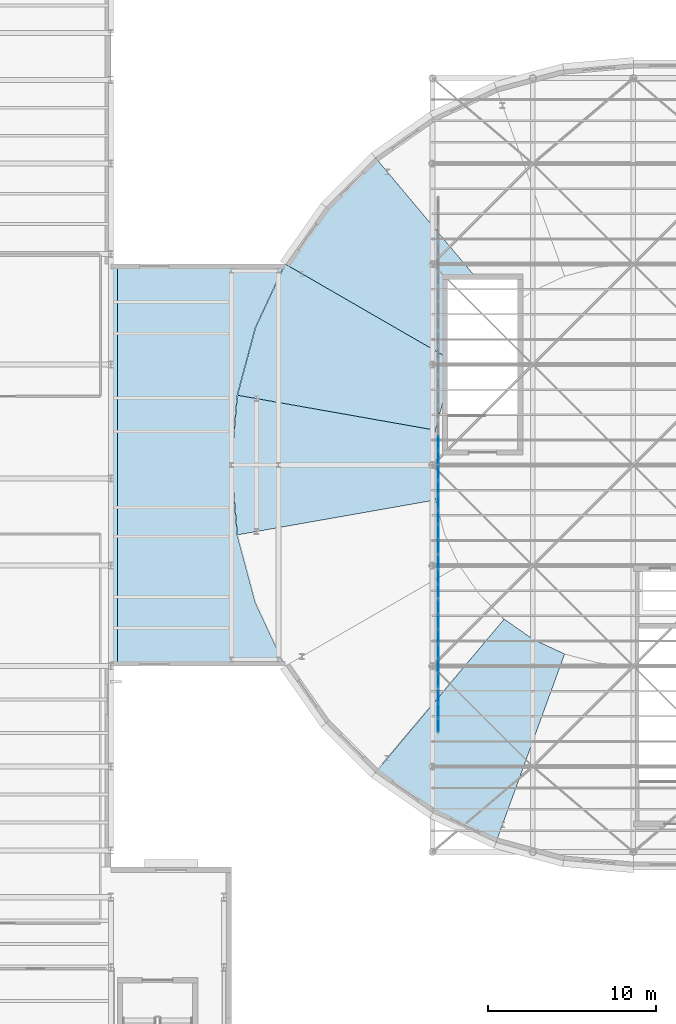
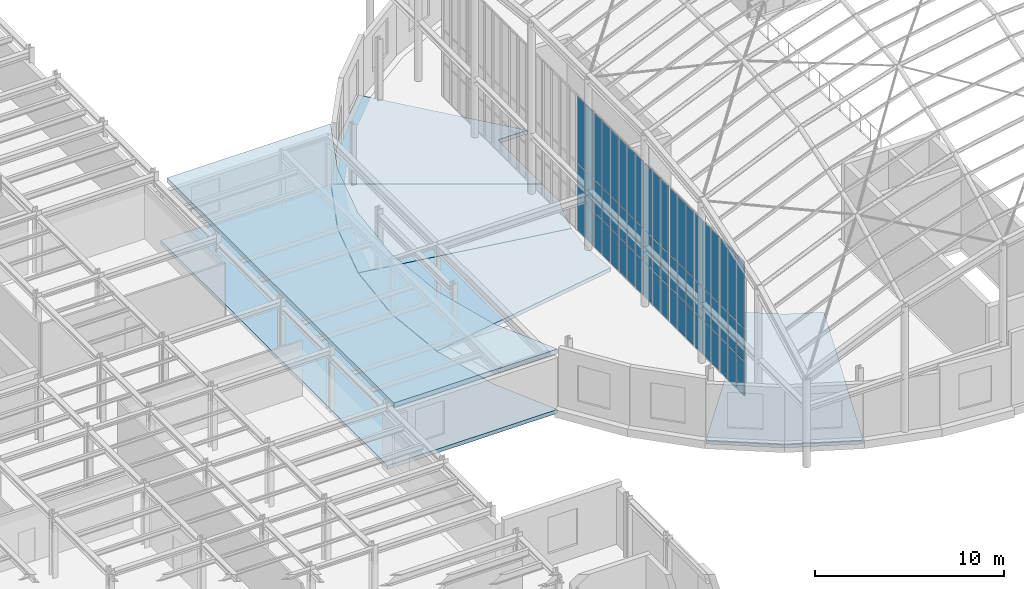
# One storey, part 52 of 75: 60 plates, 6 slabs, 7 elements without a shape of their own.
"""IFC4 building model written with IfcOpenShell, lengths in metres."""

from ifc_helpers import new_model, si_unit, direction, frame, origin, origin_2d, place, context, subcontext, project, spatial, polyline, rectangle, outline, extrude, material, layer, layer_set, type_object, element, aggregate, save


model = new_model("IFC4")

# Units and contexts
model_context = context("Model", 3, precision=1e-05, world=origin(), true_north=direction((0.0, 1.0)))
body_context = subcontext(model_context, "Body", "Model", "MODEL_VIEW")
ifc_project = project(units=[si_unit("LENGTHUNIT", "METRE"), si_unit("AREAUNIT", "SQUARE_METRE"), si_unit("VOLUMEUNIT", "CUBIC_METRE"), si_unit("PLANEANGLEUNIT", "RADIAN"), si_unit("MASSUNIT", "GRAM", prefix="KILO")], contexts=[model_context])

# Site, building, storey
site_placement = place(None, origin())
site = spatial("IfcSite", under=ifc_project, at=site_placement, CompositionType="ELEMENT")
building_placement = place(site_placement, origin())
building = spatial("IfcBuilding", under=site, at=building_placement, Name="Kolvaren Corner Interchange", CompositionType="ELEMENT")
storey_placement = place(building_placement, frame((0.0, 0.0, 10.5)))
storey = spatial("IfcBuildingStorey", under=building, at=storey_placement, Name="L03", CompositionType="ELEMENT", Elevation=10.5)

# Curtain wall, plates
ifc_material_1 = material(Name="Unitised Aluminium and Solar-Control Glass Curtain Wall", Category="aluminium")
curtain_wall_type = type_object("IfcCurtainWallType", Name="CW-V1-CLER", PredefinedType="NOTDEFINED", material=ifc_material_1)
curtain_wall_1_placement = place(storey_placement, origin())
curtain_wall_1 = element("IfcCurtainWall", 1, at=curtain_wall_1_placement, inside=storey, type_object=curtain_wall_type, Name="Gridshell West End Curtain Wall Bay 01", PredefinedType="NOTDEFINED")
ifc_material_2 = material(Name="Low-E Solar-Control Laminated Glass", Category="glass")
ifc_layer_1 = layer(ifc_material_2, 0.035888671875)
ifc_layer_set_1 = layer_set([ifc_layer_1], Name="Low-E Solar-Control Laminated Glass")
plate_type = type_object("IfcPlateType", Name="PLT-CW-GL32", PredefinedType="CURTAIN_PANEL", material=ifc_layer_set_1)
plate_1_placement = place(storey_placement, frame((48.35009765625, 32.4619140625, 0.06005859375), z_axis=(0.0, 0.0, 1.0), x_axis=(0.0, 1.0, 0.0)))
plate_1 = element("IfcPlate", 2, at=plate_1_placement, type_object=plate_type, Name="CW-082 panel 1.1", PredefinedType="CURTAIN_PANEL", context=body_context, shape_type="SweptSolid", body=[
    extrude(rectangle(XDim=0.783935546875, YDim=0.035888671875, at=origin_2d()), origin(), (0.0, 0.0, 1.0), 2.2099609375),
])
plate_2_placement = place(storey_placement, frame((48.35009765625, 32.4619140625, 2.330078125), z_axis=(0.0, 0.0, 1.0), x_axis=(0.0, 1.0, 0.0)))
plate_2 = element("IfcPlate", 3, at=plate_2_placement, type_object=plate_type, Name="CW-082 panel 1.2", PredefinedType="CURTAIN_PANEL", context=body_context, shape_type="SweptSolid", body=[
    extrude(rectangle(XDim=0.783935546875, YDim=0.035888671875, at=origin_2d()), origin(), (0.0, 0.0, 1.0), 2.0400390625),
])
plate_3_placement = place(storey_placement, frame((48.35009765625, 32.4619140625, 4.43017578125), z_axis=(0.0, 0.0, 1.0), x_axis=(0.0, 1.0, 0.0)))
plate_3 = element("IfcPlate", 4, at=plate_3_placement, type_object=plate_type, Name="CW-082 panel 1.3", PredefinedType="CURTAIN_PANEL", context=body_context, shape_type="SweptSolid", body=[
    extrude(rectangle(XDim=0.783935546875, YDim=0.035888671875, at=origin_2d()), origin(), (0.0, 0.0, 1.0), 4.281982421875),
])
plate_4_placement = place(storey_placement, frame((48.35009765625, 33.333251953125, 0.06005859375), z_axis=(0.0, 0.0, 1.0), x_axis=(0.0, 1.0, 0.0)))
plate_4 = element("IfcPlate", 5, at=plate_4_placement, type_object=plate_type, Name="CW-082 panel 2.1", PredefinedType="CURTAIN_PANEL", context=body_context, shape_type="SweptSolid", body=[
    extrude(rectangle(XDim=0.81884765625, YDim=0.035888671875, at=origin_2d()), origin(), (0.0, 0.0, 1.0), 2.2099609375),
])
plate_5_placement = place(storey_placement, frame((48.35009765625, 33.333251953125, 2.330078125), z_axis=(0.0, 0.0, 1.0), x_axis=(0.0, 1.0, 0.0)))
plate_5 = element("IfcPlate", 6, at=plate_5_placement, type_object=plate_type, Name="CW-082 panel 2.2", PredefinedType="CURTAIN_PANEL", context=body_context, shape_type="SweptSolid", body=[
    extrude(rectangle(XDim=0.81884765625, YDim=0.035888671875, at=origin_2d()), origin(), (0.0, 0.0, 1.0), 2.0400390625),
])
plate_6_placement = place(storey_placement, frame((48.35009765625, 33.333251953125, 4.43017578125), z_axis=(0.0, 0.0, 1.0), x_axis=(0.0, 1.0, 0.0)))
plate_6 = element("IfcPlate", 7, at=plate_6_placement, type_object=plate_type, Name="CW-082 panel 2.3", PredefinedType="CURTAIN_PANEL", context=body_context, shape_type="SweptSolid", body=[
    extrude(rectangle(XDim=0.81884765625, YDim=0.035888671875, at=origin_2d()), origin(), (0.0, 0.0, 1.0), 4.281982421875),
])
plate_7_placement = place(storey_placement, frame((48.35009765625, 34.204833984375, 0.06005859375), z_axis=(0.0, 0.0, 1.0), x_axis=(0.0, 1.0, 0.0)))
plate_7 = element("IfcPlate", 8, at=plate_7_placement, type_object=plate_type, Name="CW-082 panel 3.1", PredefinedType="CURTAIN_PANEL", context=body_context, shape_type="SweptSolid", body=[
    extrude(rectangle(XDim=0.783935546875, YDim=0.035888671875, at=origin_2d()), origin(), (0.0, 0.0, 1.0), 2.2099609375),
])
plate_8_placement = place(storey_placement, frame((48.35009765625, 34.204833984375, 2.330078125), z_axis=(0.0, 0.0, 1.0), x_axis=(0.0, 1.0, 0.0)))
plate_8 = element("IfcPlate", 9, at=plate_8_placement, type_object=plate_type, Name="CW-082 panel 3.2", PredefinedType="CURTAIN_PANEL", context=body_context, shape_type="SweptSolid", body=[
    extrude(rectangle(XDim=0.783935546875, YDim=0.035888671875, at=origin_2d()), origin(), (0.0, 0.0, 1.0), 2.0400390625),
])
plate_9_placement = place(storey_placement, frame((48.35009765625, 34.204833984375, 4.43017578125), z_axis=(0.0, 0.0, 1.0), x_axis=(0.0, 1.0, 0.0)))
plate_9 = element("IfcPlate", 10, at=plate_9_placement, type_object=plate_type, Name="CW-082 panel 3.3", PredefinedType="CURTAIN_PANEL", context=body_context, shape_type="SweptSolid", body=[
    extrude(rectangle(XDim=0.783935546875, YDim=0.035888671875, at=origin_2d()), origin(), (0.0, 0.0, 1.0), 4.281982421875),
])
aggregate(curtain_wall_1, [plate_1, plate_2, plate_3, plate_4, plate_5, plate_6, plate_7, plate_8, plate_9])

curtain_wall_2_placement = place(storey_placement, origin())
curtain_wall_2 = element("IfcCurtainWall", 11, at=curtain_wall_2_placement, inside=storey, type_object=curtain_wall_type, Name="Gridshell West End Curtain Wall Bay 02", PredefinedType="NOTDEFINED")
plate_10_placement = place(storey_placement, frame((48.35009765625, 35.128662109375, 0.06005859375), z_axis=(0.0, 0.0, 1.0), x_axis=(0.0, 1.0, 0.0)))
plate_10 = element("IfcPlate", 12, at=plate_10_placement, type_object=plate_type, Name="CW-083 panel 1.1", PredefinedType="CURTAIN_PANEL", context=body_context, shape_type="SweptSolid", body=[
    extrude(rectangle(XDim=0.783935546875, YDim=0.035888671875, at=origin_2d()), origin(), (0.0, 0.0, 1.0), 2.2099609375),
])
plate_11_placement = place(storey_placement, frame((48.35009765625, 35.128662109375, 2.330078125), z_axis=(0.0, 0.0, 1.0), x_axis=(0.0, 1.0, 0.0)))
plate_11 = element("IfcPlate", 13, at=plate_11_placement, type_object=plate_type, Name="CW-083 panel 1.2", PredefinedType="CURTAIN_PANEL", context=body_context, shape_type="SweptSolid", body=[
    extrude(rectangle(XDim=0.783935546875, YDim=0.035888671875, at=origin_2d()), origin(), (0.0, 0.0, 1.0), 2.0400390625),
])
plate_12_placement = place(storey_placement, frame((48.35009765625, 35.128662109375, 4.43017578125), z_axis=(0.0, 0.0, 1.0), x_axis=(0.0, 1.0, 0.0)))
plate_12 = element("IfcPlate", 14, at=plate_12_placement, type_object=plate_type, Name="CW-083 panel 1.3", PredefinedType="CURTAIN_PANEL", context=body_context, shape_type="SweptSolid", body=[
    extrude(rectangle(XDim=0.783935546875, YDim=0.035888671875, at=origin_2d()), origin(), (0.0, 0.0, 1.0), 4.281982421875),
])
plate_13_placement = place(storey_placement, frame((48.35009765625, 36.0, 0.06005859375), z_axis=(0.0, 0.0, 1.0), x_axis=(0.0, 1.0, 0.0)))
plate_13 = element("IfcPlate", 15, at=plate_13_placement, type_object=plate_type, Name="CW-083 panel 2.1", PredefinedType="CURTAIN_PANEL", context=body_context, shape_type="SweptSolid", body=[
    extrude(rectangle(XDim=0.81884765625, YDim=0.035888671875, at=origin_2d()), origin(), (0.0, 0.0, 1.0), 2.2099609375),
])
plate_14_placement = place(storey_placement, frame((48.35009765625, 36.0, 2.330078125), z_axis=(0.0, 0.0, 1.0), x_axis=(0.0, 1.0, 0.0)))
plate_14 = element("IfcPlate", 16, at=plate_14_placement, type_object=plate_type, Name="CW-083 panel 2.2", PredefinedType="CURTAIN_PANEL", context=body_context, shape_type="SweptSolid", body=[
    extrude(rectangle(XDim=0.81884765625, YDim=0.035888671875, at=origin_2d()), origin(), (0.0, 0.0, 1.0), 2.0400390625),
])
plate_15_placement = place(storey_placement, frame((48.35009765625, 36.0, 4.43017578125), z_axis=(0.0, 0.0, 1.0), x_axis=(0.0, 1.0, 0.0)))
plate_15 = element("IfcPlate", 17, at=plate_15_placement, type_object=plate_type, Name="CW-083 panel 2.3", PredefinedType="CURTAIN_PANEL", context=body_context, shape_type="SweptSolid", body=[
    extrude(rectangle(XDim=0.81884765625, YDim=0.035888671875, at=origin_2d()), origin(), (0.0, 0.0, 1.0), 4.281982421875),
])
plate_16_placement = place(storey_placement, frame((48.35009765625, 36.871337890625, 0.06005859375), z_axis=(0.0, 0.0, 1.0), x_axis=(0.0, 1.0, 0.0)))
plate_16 = element("IfcPlate", 18, at=plate_16_placement, type_object=plate_type, Name="CW-083 panel 3.1", PredefinedType="CURTAIN_PANEL", context=body_context, shape_type="SweptSolid", body=[
    extrude(rectangle(XDim=0.783935546875, YDim=0.035888671875, at=origin_2d()), origin(), (0.0, 0.0, 1.0), 2.2099609375),
])
plate_17_placement = place(storey_placement, frame((48.35009765625, 36.871337890625, 2.330078125), z_axis=(0.0, 0.0, 1.0), x_axis=(0.0, 1.0, 0.0)))
plate_17 = element("IfcPlate", 19, at=plate_17_placement, type_object=plate_type, Name="CW-083 panel 3.2", PredefinedType="CURTAIN_PANEL", context=body_context, shape_type="SweptSolid", body=[
    extrude(rectangle(XDim=0.783935546875, YDim=0.035888671875, at=origin_2d()), origin(), (0.0, 0.0, 1.0), 2.0400390625),
])
plate_18_placement = place(storey_placement, frame((48.35009765625, 36.871337890625, 4.43017578125), z_axis=(0.0, 0.0, 1.0), x_axis=(0.0, 1.0, 0.0)))
plate_18 = element("IfcPlate", 20, at=plate_18_placement, type_object=plate_type, Name="CW-083 panel 3.3", PredefinedType="CURTAIN_PANEL", context=body_context, shape_type="SweptSolid", body=[
    extrude(rectangle(XDim=0.783935546875, YDim=0.035888671875, at=origin_2d()), origin(), (0.0, 0.0, 1.0), 4.281982421875),
])
aggregate(curtain_wall_2, [plate_10, plate_11, plate_12, plate_13, plate_14, plate_15, plate_16, plate_17, plate_18])

curtain_wall_3_placement = place(storey_placement, origin())
curtain_wall_3 = element("IfcCurtainWall", 21, at=curtain_wall_3_placement, inside=storey, type_object=curtain_wall_type, Name="Gridshell West End Curtain Wall Bay 03", PredefinedType="NOTDEFINED")
plate_19_placement = place(storey_placement, frame((48.35009765625, 37.795166015625, 0.06005859375), z_axis=(0.0, 0.0, 1.0), x_axis=(0.0, 1.0, 0.0)))
plate_19 = element("IfcPlate", 22, at=plate_19_placement, type_object=plate_type, Name="CW-084 panel 1.1", PredefinedType="CURTAIN_PANEL", context=body_context, shape_type="SweptSolid", body=[
    extrude(rectangle(XDim=0.783935546875, YDim=0.035888671875, at=origin_2d()), origin(), (0.0, 0.0, 1.0), 2.2099609375),
])
plate_20_placement = place(storey_placement, frame((48.35009765625, 37.795166015625, 2.330078125), z_axis=(0.0, 0.0, 1.0), x_axis=(0.0, 1.0, 0.0)))
plate_20 = element("IfcPlate", 23, at=plate_20_placement, type_object=plate_type, Name="CW-084 panel 1.2", PredefinedType="CURTAIN_PANEL", context=body_context, shape_type="SweptSolid", body=[
    extrude(rectangle(XDim=0.783935546875, YDim=0.035888671875, at=origin_2d()), origin(), (0.0, 0.0, 1.0), 2.0400390625),
])
plate_21_placement = place(storey_placement, frame((48.35009765625, 37.795166015625, 4.43017578125), z_axis=(0.0, 0.0, 1.0), x_axis=(0.0, 1.0, 0.0)))
plate_21 = element("IfcPlate", 24, at=plate_21_placement, type_object=plate_type, Name="CW-084 panel 1.3", PredefinedType="CURTAIN_PANEL", context=body_context, shape_type="SweptSolid", body=[
    extrude(rectangle(XDim=0.783935546875, YDim=0.035888671875, at=origin_2d()), origin(), (0.0, 0.0, 1.0), 4.281982421875),
])
plate_22_placement = place(storey_placement, frame((48.35009765625, 38.666748046875, 0.06005859375), z_axis=(0.0, 0.0, 1.0), x_axis=(0.0, 1.0, 0.0)))
plate_22 = element("IfcPlate", 25, at=plate_22_placement, type_object=plate_type, Name="CW-084 panel 2.1", PredefinedType="CURTAIN_PANEL", context=body_context, shape_type="SweptSolid", body=[
    extrude(rectangle(XDim=0.81884765625, YDim=0.035888671875, at=origin_2d()), origin(), (0.0, 0.0, 1.0), 2.2099609375),
])
plate_23_placement = place(storey_placement, frame((48.35009765625, 38.666748046875, 2.330078125), z_axis=(0.0, 0.0, 1.0), x_axis=(0.0, 1.0, 0.0)))
plate_23 = element("IfcPlate", 26, at=plate_23_placement, type_object=plate_type, Name="CW-084 panel 2.2", PredefinedType="CURTAIN_PANEL", context=body_context, shape_type="SweptSolid", body=[
    extrude(rectangle(XDim=0.81884765625, YDim=0.035888671875, at=origin_2d()), origin(), (0.0, 0.0, 1.0), 2.0400390625),
])
plate_24_placement = place(storey_placement, frame((48.35009765625, 38.666748046875, 4.43017578125), z_axis=(0.0, 0.0, 1.0), x_axis=(0.0, 1.0, 0.0)))
plate_24 = element("IfcPlate", 27, at=plate_24_placement, type_object=plate_type, Name="CW-084 panel 2.3", PredefinedType="CURTAIN_PANEL", context=body_context, shape_type="SweptSolid", body=[
    extrude(rectangle(XDim=0.81884765625, YDim=0.035888671875, at=origin_2d()), origin(), (0.0, 0.0, 1.0), 4.281982421875),
])
plate_25_placement = place(storey_placement, frame((48.35009765625, 39.5380859375, 0.06005859375), z_axis=(0.0, 0.0, 1.0), x_axis=(0.0, 1.0, 0.0)))
plate_25 = element("IfcPlate", 28, at=plate_25_placement, type_object=plate_type, Name="CW-084 panel 3.1", PredefinedType="CURTAIN_PANEL", context=body_context, shape_type="SweptSolid", body=[
    extrude(rectangle(XDim=0.783935546875, YDim=0.035888671875, at=origin_2d()), origin(), (0.0, 0.0, 1.0), 2.2099609375),
])
plate_26_placement = place(storey_placement, frame((48.35009765625, 39.5380859375, 2.330078125), z_axis=(0.0, 0.0, 1.0), x_axis=(0.0, 1.0, 0.0)))
plate_26 = element("IfcPlate", 29, at=plate_26_placement, type_object=plate_type, Name="CW-084 panel 3.2", PredefinedType="CURTAIN_PANEL", context=body_context, shape_type="SweptSolid", body=[
    extrude(rectangle(XDim=0.783935546875, YDim=0.035888671875, at=origin_2d()), origin(), (0.0, 0.0, 1.0), 2.0400390625),
])
plate_27_placement = place(storey_placement, frame((48.35009765625, 39.5380859375, 4.43017578125), z_axis=(0.0, 0.0, 1.0), x_axis=(0.0, 1.0, 0.0)))
plate_27 = element("IfcPlate", 30, at=plate_27_placement, type_object=plate_type, Name="CW-084 panel 3.3", PredefinedType="CURTAIN_PANEL", context=body_context, shape_type="SweptSolid", body=[
    extrude(rectangle(XDim=0.783935546875, YDim=0.035888671875, at=origin_2d()), origin(), (0.0, 0.0, 1.0), 4.281982421875),
])
aggregate(curtain_wall_3, [plate_19, plate_20, plate_21, plate_22, plate_23, plate_24, plate_25, plate_26, plate_27])

curtain_wall_4_placement = place(storey_placement, origin())
curtain_wall_4 = element("IfcCurtainWall", 31, at=curtain_wall_4_placement, inside=storey, type_object=curtain_wall_type, Name="Gridshell West End Curtain Wall Bay 04", PredefinedType="NOTDEFINED")
plate_28_placement = place(storey_placement, frame((48.35009765625, 40.4619140625, 0.06005859375), z_axis=(0.0, 0.0, 1.0), x_axis=(0.0, 1.0, 0.0)))
plate_28 = element("IfcPlate", 32, at=plate_28_placement, type_object=plate_type, Name="CW-085 panel 1.1", PredefinedType="CURTAIN_PANEL", context=body_context, shape_type="SweptSolid", body=[
    extrude(rectangle(XDim=0.783935546875, YDim=0.035888671875, at=origin_2d()), origin(), (0.0, 0.0, 1.0), 2.2099609375),
])
plate_29_placement = place(storey_placement, frame((48.35009765625, 40.4619140625, 2.330078125), z_axis=(0.0, 0.0, 1.0), x_axis=(0.0, 1.0, 0.0)))
plate_29 = element("IfcPlate", 33, at=plate_29_placement, type_object=plate_type, Name="CW-085 panel 1.2", PredefinedType="CURTAIN_PANEL", context=body_context, shape_type="SweptSolid", body=[
    extrude(rectangle(XDim=0.783935546875, YDim=0.035888671875, at=origin_2d()), origin(), (0.0, 0.0, 1.0), 2.0400390625),
])
plate_30_placement = place(storey_placement, frame((48.35009765625, 40.4619140625, 4.43017578125), z_axis=(0.0, 0.0, 1.0), x_axis=(0.0, 1.0, 0.0)))
plate_30 = element("IfcPlate", 34, at=plate_30_placement, type_object=plate_type, Name="CW-085 panel 1.3", PredefinedType="CURTAIN_PANEL", context=body_context, shape_type="SweptSolid", body=[
    extrude(rectangle(XDim=0.783935546875, YDim=0.035888671875, at=origin_2d()), origin(), (0.0, 0.0, 1.0), 4.281982421875),
])
plate_31_placement = place(storey_placement, frame((48.35009765625, 41.333251953125, 0.06005859375), z_axis=(0.0, 0.0, 1.0), x_axis=(0.0, 1.0, 0.0)))
plate_31 = element("IfcPlate", 35, at=plate_31_placement, type_object=plate_type, Name="CW-085 panel 2.1", PredefinedType="CURTAIN_PANEL", context=body_context, shape_type="SweptSolid", body=[
    extrude(rectangle(XDim=0.81884765625, YDim=0.035888671875, at=origin_2d()), origin(), (0.0, 0.0, 1.0), 2.2099609375),
])
plate_32_placement = place(storey_placement, frame((48.35009765625, 41.333251953125, 2.330078125), z_axis=(0.0, 0.0, 1.0), x_axis=(0.0, 1.0, 0.0)))
plate_32 = element("IfcPlate", 36, at=plate_32_placement, type_object=plate_type, Name="CW-085 panel 2.2", PredefinedType="CURTAIN_PANEL", context=body_context, shape_type="SweptSolid", body=[
    extrude(rectangle(XDim=0.81884765625, YDim=0.035888671875, at=origin_2d()), origin(), (0.0, 0.0, 1.0), 2.0400390625),
])
plate_33_placement = place(storey_placement, frame((48.35009765625, 41.333251953125, 4.43017578125), z_axis=(0.0, 0.0, 1.0), x_axis=(0.0, 1.0, 0.0)))
plate_33 = element("IfcPlate", 37, at=plate_33_placement, type_object=plate_type, Name="CW-085 panel 2.3", PredefinedType="CURTAIN_PANEL", context=body_context, shape_type="SweptSolid", body=[
    extrude(rectangle(XDim=0.81884765625, YDim=0.035888671875, at=origin_2d()), origin(), (0.0, 0.0, 1.0), 4.281982421875),
])
plate_34_placement = place(storey_placement, frame((48.35009765625, 42.204833984375, 0.06005859375), z_axis=(0.0, 0.0, 1.0), x_axis=(0.0, 1.0, 0.0)))
plate_34 = element("IfcPlate", 38, at=plate_34_placement, type_object=plate_type, Name="CW-085 panel 3.1", PredefinedType="CURTAIN_PANEL", context=body_context, shape_type="SweptSolid", body=[
    extrude(rectangle(XDim=0.783935546875, YDim=0.035888671875, at=origin_2d()), origin(), (0.0, 0.0, 1.0), 2.2099609375),
])
plate_35_placement = place(storey_placement, frame((48.35009765625, 42.204833984375, 2.330078125), z_axis=(0.0, 0.0, 1.0), x_axis=(0.0, 1.0, 0.0)))
plate_35 = element("IfcPlate", 39, at=plate_35_placement, type_object=plate_type, Name="CW-085 panel 3.2", PredefinedType="CURTAIN_PANEL", context=body_context, shape_type="SweptSolid", body=[
    extrude(rectangle(XDim=0.783935546875, YDim=0.035888671875, at=origin_2d()), origin(), (0.0, 0.0, 1.0), 2.0400390625),
])
plate_36_placement = place(storey_placement, frame((48.35009765625, 42.204833984375, 4.43017578125), z_axis=(0.0, 0.0, 1.0), x_axis=(0.0, 1.0, 0.0)))
plate_36 = element("IfcPlate", 40, at=plate_36_placement, type_object=plate_type, Name="CW-085 panel 3.3", PredefinedType="CURTAIN_PANEL", context=body_context, shape_type="SweptSolid", body=[
    extrude(rectangle(XDim=0.783935546875, YDim=0.035888671875, at=origin_2d()), origin(), (0.0, 0.0, 1.0), 4.281982421875),
])
aggregate(curtain_wall_4, [plate_28, plate_29, plate_30, plate_31, plate_32, plate_33, plate_34, plate_35, plate_36])

curtain_wall_5_placement = place(storey_placement, origin())
curtain_wall_5 = element("IfcCurtainWall", 41, at=curtain_wall_5_placement, inside=storey, type_object=curtain_wall_type, Name="Gridshell West End Curtain Wall Bay 05", PredefinedType="NOTDEFINED")
plate_37_placement = place(storey_placement, frame((48.35009765625, 43.128662109375, 0.06005859375), z_axis=(0.0, 0.0, 1.0), x_axis=(0.0, 1.0, 0.0)))
plate_37 = element("IfcPlate", 42, at=plate_37_placement, type_object=plate_type, Name="CW-086 panel 1.1", PredefinedType="CURTAIN_PANEL", context=body_context, shape_type="SweptSolid", body=[
    extrude(rectangle(XDim=0.783935546875, YDim=0.035888671875, at=origin_2d()), origin(), (0.0, 0.0, 1.0), 2.2099609375),
])
plate_38_placement = place(storey_placement, frame((48.35009765625, 43.128662109375, 2.330078125), z_axis=(0.0, 0.0, 1.0), x_axis=(0.0, 1.0, 0.0)))
plate_38 = element("IfcPlate", 43, at=plate_38_placement, type_object=plate_type, Name="CW-086 panel 1.2", PredefinedType="CURTAIN_PANEL", context=body_context, shape_type="SweptSolid", body=[
    extrude(rectangle(XDim=0.783935546875, YDim=0.035888671875, at=origin_2d()), origin(), (0.0, 0.0, 1.0), 2.0400390625),
])
plate_39_placement = place(storey_placement, frame((48.35009765625, 43.128662109375, 4.43017578125), z_axis=(0.0, 0.0, 1.0), x_axis=(0.0, 1.0, 0.0)))
plate_39 = element("IfcPlate", 44, at=plate_39_placement, type_object=plate_type, Name="CW-086 panel 1.3", PredefinedType="CURTAIN_PANEL", context=body_context, shape_type="SweptSolid", body=[
    extrude(rectangle(XDim=0.783935546875, YDim=0.035888671875, at=origin_2d()), origin(), (0.0, 0.0, 1.0), 4.281982421875),
])
plate_40_placement = place(storey_placement, frame((48.35009765625, 44.0, 0.06005859375), z_axis=(0.0, 0.0, 1.0), x_axis=(0.0, 1.0, 0.0)))
plate_40 = element("IfcPlate", 45, at=plate_40_placement, type_object=plate_type, Name="CW-086 panel 2.1", PredefinedType="CURTAIN_PANEL", context=body_context, shape_type="SweptSolid", body=[
    extrude(rectangle(XDim=0.81884765625, YDim=0.035888671875, at=origin_2d()), origin(), (0.0, 0.0, 1.0), 2.2099609375),
])
plate_41_placement = place(storey_placement, frame((48.35009765625, 44.0, 2.330078125), z_axis=(0.0, 0.0, 1.0), x_axis=(0.0, 1.0, 0.0)))
plate_41 = element("IfcPlate", 46, at=plate_41_placement, type_object=plate_type, Name="CW-086 panel 2.2", PredefinedType="CURTAIN_PANEL", context=body_context, shape_type="SweptSolid", body=[
    extrude(rectangle(XDim=0.81884765625, YDim=0.035888671875, at=origin_2d()), origin(), (0.0, 0.0, 1.0), 2.0400390625),
])
plate_42_placement = place(storey_placement, frame((48.35009765625, 44.0, 4.43017578125), z_axis=(0.0, 0.0, 1.0), x_axis=(0.0, 1.0, 0.0)))
plate_42 = element("IfcPlate", 47, at=plate_42_placement, type_object=plate_type, Name="CW-086 panel 2.3", PredefinedType="CURTAIN_PANEL", context=body_context, shape_type="SweptSolid", body=[
    extrude(rectangle(XDim=0.81884765625, YDim=0.035888671875, at=origin_2d()), origin(), (0.0, 0.0, 1.0), 4.281982421875),
])
plate_43_placement = place(storey_placement, frame((48.35009765625, 44.871337890625, 0.06005859375), z_axis=(0.0, 0.0, 1.0), x_axis=(0.0, 1.0, 0.0)))
plate_43 = element("IfcPlate", 48, at=plate_43_placement, type_object=plate_type, Name="CW-086 panel 3.1", PredefinedType="CURTAIN_PANEL", context=body_context, shape_type="SweptSolid", body=[
    extrude(rectangle(XDim=0.783935546875, YDim=0.035888671875, at=origin_2d()), origin(), (0.0, 0.0, 1.0), 2.2099609375),
])
plate_44_placement = place(storey_placement, frame((48.35009765625, 44.871337890625, 2.330078125), z_axis=(0.0, 0.0, 1.0), x_axis=(0.0, 1.0, 0.0)))
plate_44 = element("IfcPlate", 49, at=plate_44_placement, type_object=plate_type, Name="CW-086 panel 3.2", PredefinedType="CURTAIN_PANEL", context=body_context, shape_type="SweptSolid", body=[
    extrude(rectangle(XDim=0.783935546875, YDim=0.035888671875, at=origin_2d()), origin(), (0.0, 0.0, 1.0), 2.0400390625),
])
plate_45_placement = place(storey_placement, frame((48.35009765625, 44.871337890625, 4.43017578125), z_axis=(0.0, 0.0, 1.0), x_axis=(0.0, 1.0, 0.0)))
plate_45 = element("IfcPlate", 50, at=plate_45_placement, type_object=plate_type, Name="CW-086 panel 3.3", PredefinedType="CURTAIN_PANEL", context=body_context, shape_type="SweptSolid", body=[
    extrude(rectangle(XDim=0.783935546875, YDim=0.035888671875, at=origin_2d()), origin(), (0.0, 0.0, 1.0), 4.281982421875),
])
aggregate(curtain_wall_5, [plate_37, plate_38, plate_39, plate_40, plate_41, plate_42, plate_43, plate_44, plate_45])

curtain_wall_6_placement = place(storey_placement, origin())
curtain_wall_6 = element("IfcCurtainWall", 51, at=curtain_wall_6_placement, inside=storey, type_object=curtain_wall_type, Name="Gridshell West End Curtain Wall Bay 06", PredefinedType="NOTDEFINED")
plate_46_placement = place(storey_placement, frame((48.35009765625, 45.795166015625, 0.06005859375), z_axis=(0.0, 0.0, 1.0), x_axis=(0.0, 1.0, 0.0)))
plate_46 = element("IfcPlate", 52, at=plate_46_placement, type_object=plate_type, Name="CW-087 panel 1.1", PredefinedType="CURTAIN_PANEL", context=body_context, shape_type="SweptSolid", body=[
    extrude(rectangle(XDim=0.783935546875, YDim=0.035888671875, at=origin_2d()), origin(), (0.0, 0.0, 1.0), 2.2099609375),
])
plate_47_placement = place(storey_placement, frame((48.35009765625, 45.795166015625, 2.330078125), z_axis=(0.0, 0.0, 1.0), x_axis=(0.0, 1.0, 0.0)))
plate_47 = element("IfcPlate", 53, at=plate_47_placement, type_object=plate_type, Name="CW-087 panel 1.2", PredefinedType="CURTAIN_PANEL", context=body_context, shape_type="SweptSolid", body=[
    extrude(rectangle(XDim=0.783935546875, YDim=0.035888671875, at=origin_2d()), origin(), (0.0, 0.0, 1.0), 2.0400390625),
])
plate_48_placement = place(storey_placement, frame((48.35009765625, 45.795166015625, 4.43017578125), z_axis=(0.0, 0.0, 1.0), x_axis=(0.0, 1.0, 0.0)))
plate_48 = element("IfcPlate", 54, at=plate_48_placement, type_object=plate_type, Name="CW-087 panel 1.3", PredefinedType="CURTAIN_PANEL", context=body_context, shape_type="SweptSolid", body=[
    extrude(rectangle(XDim=0.783935546875, YDim=0.035888671875, at=origin_2d()), origin(), (0.0, 0.0, 1.0), 4.281982421875),
])
plate_49_placement = place(storey_placement, frame((48.35009765625, 46.666748046875, 0.06005859375), z_axis=(0.0, 0.0, 1.0), x_axis=(0.0, 1.0, 0.0)))
plate_49 = element("IfcPlate", 55, at=plate_49_placement, type_object=plate_type, Name="CW-087 panel 2.1", PredefinedType="CURTAIN_PANEL", context=body_context, shape_type="SweptSolid", body=[
    extrude(rectangle(XDim=0.81884765625, YDim=0.035888671875, at=origin_2d()), origin(), (0.0, 0.0, 1.0), 2.2099609375),
])
plate_50_placement = place(storey_placement, frame((48.35009765625, 46.666748046875, 2.330078125), z_axis=(0.0, 0.0, 1.0), x_axis=(0.0, 1.0, 0.0)))
plate_50 = element("IfcPlate", 56, at=plate_50_placement, type_object=plate_type, Name="CW-087 panel 2.2", PredefinedType="CURTAIN_PANEL", context=body_context, shape_type="SweptSolid", body=[
    extrude(rectangle(XDim=0.81884765625, YDim=0.035888671875, at=origin_2d()), origin(), (0.0, 0.0, 1.0), 2.0400390625),
])
plate_51_placement = place(storey_placement, frame((48.35009765625, 46.666748046875, 4.43017578125), z_axis=(0.0, 0.0, 1.0), x_axis=(0.0, 1.0, 0.0)))
plate_51 = element("IfcPlate", 57, at=plate_51_placement, type_object=plate_type, Name="CW-087 panel 2.3", PredefinedType="CURTAIN_PANEL", context=body_context, shape_type="SweptSolid", body=[
    extrude(rectangle(XDim=0.81884765625, YDim=0.035888671875, at=origin_2d()), origin(), (0.0, 0.0, 1.0), 4.281982421875),
])
plate_52_placement = place(storey_placement, frame((48.35009765625, 47.5380859375, 0.06005859375), z_axis=(0.0, 0.0, 1.0), x_axis=(0.0, 1.0, 0.0)))
plate_52 = element("IfcPlate", 58, at=plate_52_placement, type_object=plate_type, Name="CW-087 panel 3.1", PredefinedType="CURTAIN_PANEL", context=body_context, shape_type="SweptSolid", body=[
    extrude(rectangle(XDim=0.783935546875, YDim=0.035888671875, at=origin_2d()), origin(), (0.0, 0.0, 1.0), 2.2099609375),
])
plate_53_placement = place(storey_placement, frame((48.35009765625, 47.5380859375, 2.330078125), z_axis=(0.0, 0.0, 1.0), x_axis=(0.0, 1.0, 0.0)))
plate_53 = element("IfcPlate", 59, at=plate_53_placement, type_object=plate_type, Name="CW-087 panel 3.2", PredefinedType="CURTAIN_PANEL", context=body_context, shape_type="SweptSolid", body=[
    extrude(rectangle(XDim=0.783935546875, YDim=0.035888671875, at=origin_2d()), origin(), (0.0, 0.0, 1.0), 2.0400390625),
])
plate_54_placement = place(storey_placement, frame((48.35009765625, 47.5380859375, 4.43017578125), z_axis=(0.0, 0.0, 1.0), x_axis=(0.0, 1.0, 0.0)))
plate_54 = element("IfcPlate", 60, at=plate_54_placement, type_object=plate_type, Name="CW-087 panel 3.3", PredefinedType="CURTAIN_PANEL", context=body_context, shape_type="SweptSolid", body=[
    extrude(rectangle(XDim=0.783935546875, YDim=0.035888671875, at=origin_2d()), origin(), (0.0, 0.0, 1.0), 4.281982421875),
])
aggregate(curtain_wall_6, [plate_46, plate_47, plate_48, plate_49, plate_50, plate_51, plate_52, plate_53, plate_54])

curtain_wall_7_placement = place(storey_placement, origin())
curtain_wall_7 = element("IfcCurtainWall", 61, at=curtain_wall_7_placement, inside=storey, type_object=curtain_wall_type, Name="Gridshell West End Curtain Wall Bay 07", PredefinedType="NOTDEFINED")
plate_55_placement = place(storey_placement, frame((48.35009765625, 48.4619140625, 0.06005859375), z_axis=(0.0, 0.0, 1.0), x_axis=(0.0, 1.0, 0.0)))
plate_55 = element("IfcPlate", 62, at=plate_55_placement, type_object=plate_type, Name="CW-088 panel 1.1", PredefinedType="CURTAIN_PANEL", context=body_context, shape_type="SweptSolid", body=[
    extrude(rectangle(XDim=0.783935546875, YDim=0.035888671875, at=origin_2d()), origin(), (0.0, 0.0, 1.0), 2.2099609375),
])
plate_56_placement = place(storey_placement, frame((48.35009765625, 48.4619140625, 2.330078125), z_axis=(0.0, 0.0, 1.0), x_axis=(0.0, 1.0, 0.0)))
plate_56 = element("IfcPlate", 63, at=plate_56_placement, type_object=plate_type, Name="CW-088 panel 1.2", PredefinedType="CURTAIN_PANEL", context=body_context, shape_type="SweptSolid", body=[
    extrude(rectangle(XDim=0.783935546875, YDim=0.035888671875, at=origin_2d()), origin(), (0.0, 0.0, 1.0), 2.0400390625),
])
plate_57_placement = place(storey_placement, frame((48.35009765625, 48.4619140625, 4.43017578125), z_axis=(0.0, 0.0, 1.0), x_axis=(0.0, 1.0, 0.0)))
plate_57 = element("IfcPlate", 64, at=plate_57_placement, type_object=plate_type, Name="CW-088 panel 1.3", PredefinedType="CURTAIN_PANEL", context=body_context, shape_type="SweptSolid", body=[
    extrude(rectangle(XDim=0.783935546875, YDim=0.035888671875, at=origin_2d()), origin(), (0.0, 0.0, 1.0), 4.281982421875),
])
plate_58_placement = place(storey_placement, frame((48.35009765625, 49.333251953125, 0.06005859375), z_axis=(0.0, 0.0, 1.0), x_axis=(0.0, 1.0, 0.0)))
plate_58 = element("IfcPlate", 65, at=plate_58_placement, type_object=plate_type, Name="CW-088 panel 2.1", PredefinedType="CURTAIN_PANEL", context=body_context, shape_type="SweptSolid", body=[
    extrude(rectangle(XDim=0.81884765625, YDim=0.035888671875, at=origin_2d()), origin(), (0.0, 0.0, 1.0), 2.2099609375),
])
plate_59_placement = place(storey_placement, frame((48.35009765625, 49.333251953125, 2.330078125), z_axis=(0.0, 0.0, 1.0), x_axis=(0.0, 1.0, 0.0)))
plate_59 = element("IfcPlate", 66, at=plate_59_placement, type_object=plate_type, Name="CW-088 panel 2.2", PredefinedType="CURTAIN_PANEL", context=body_context, shape_type="SweptSolid", body=[
    extrude(rectangle(XDim=0.81884765625, YDim=0.035888671875, at=origin_2d()), origin(), (0.0, 0.0, 1.0), 2.0400390625),
])
plate_60_placement = place(storey_placement, frame((48.35009765625, 49.333251953125, 4.43017578125), z_axis=(0.0, 0.0, 1.0), x_axis=(0.0, 1.0, 0.0)))
plate_60 = element("IfcPlate", 67, at=plate_60_placement, type_object=plate_type, Name="CW-088 panel 2.3", PredefinedType="CURTAIN_PANEL", context=body_context, shape_type="SweptSolid", body=[
    extrude(rectangle(XDim=0.81884765625, YDim=0.035888671875, at=origin_2d()), origin(), (0.0, 0.0, 1.0), 4.281982421875),
])
aggregate(curtain_wall_7, [plate_55, plate_56, plate_57, plate_58, plate_59, plate_60])

# Slabs
ifc_material_3 = material(Name="Concrete C35/45", Category="concrete")
ifc_layer_2 = layer(ifc_material_3, 0.25)
ifc_layer_set_2 = layer_set([ifc_layer_2], Name="Concrete C35/45")
slab_type_1 = type_object("IfcSlabType", Name="SL-COMP-250", PredefinedType="FLOOR", material=ifc_layer_set_2)
slab_1_placement = place(storey_placement, frame((0.0, 0.0, -0.25)))
element("IfcSlab", 68, at=slab_1_placement, inside=storey, type_object=slab_type_1, Name="Level 03 Sky Gallery Transfer Bridge Slab", PredefinedType="FLOOR", context=body_context, shape_type="SweptSolid", body=[
    extrude(outline(polyline([(39.193359375, 36.0), (37.4287109375, 39.78466796875), (36.344970703125, 43.8291015625), (35.97998046875, 48.0), (36.344970703125, 52.1708984375), (37.4287109375, 56.21533203125), (39.193359375, 60.0), (28.800048828125, 60.0), (28.800048828125, 36.0), (39.193359375, 36.0)])), origin(), (0.0, 0.0, 1.0), 0.25),
])
slab_2_placement = place(storey_placement, frame((0.0, 0.0, -0.25)))
element("IfcSlab", 69, at=slab_2_placement, inside=storey, type_object=slab_type_1, Name="Level 03 Racetrack West Sky Gallery Radial Slab 03", PredefinedType="FLOOR", context=body_context, shape_type="SweptSolid", body=[
    extrude(outline(polyline([(41.614990234375, 63.427001953125), (39.21533203125, 60.0), (48.89990234375, 54.40869140625), (48.89990234375, 59.10009765625), (50.68603515625, 59.10009765625), (44.572998046875, 66.385009765625), (41.614990234375, 63.427001953125)])), origin(), (0.0, 0.0, 1.0), 0.25),
])
slab_3_placement = place(storey_placement, frame((0.0, 0.0, -0.25)))
element("IfcSlab", 70, at=slab_3_placement, inside=storey, type_object=slab_type_1, Name="Level 03 Racetrack West Sky Gallery Radial Slab 04", PredefinedType="FLOOR", context=body_context, shape_type="SweptSolid", body=[
    extrude(outline(polyline([(48.723388671875, 52.103515625), (48.89990234375, 52.48681640625), (48.888916015625, 54.4130859375), (39.253173828125, 59.978271484375), (39.2060546875, 59.972900390625), (37.447509765625, 56.20849609375), (36.3759765625, 52.209716796875), (36.386962890625, 52.17041015625), (48.150146484375, 50.089599609375), (48.19189453125, 50.119140625), (48.723388671875, 52.103515625)])), origin(), (0.0, 0.0, 1.0), 0.25),
])
slab_4_placement = place(storey_placement, frame((0.0, 0.0, -0.25)))
element("IfcSlab", 71, at=slab_4_placement, inside=storey, type_object=slab_type_1, Name="Level 03 Racetrack West Sky Gallery Radial Slab 05", PredefinedType="FLOOR", context=body_context, shape_type="SweptSolid", body=[
    extrude(outline(polyline([(36.0, 48.0), (36.364501953125, 43.83251953125), (48.182373046875, 45.916259765625), (48.0, 48.0), (48.182373046875, 50.083740234375), (36.364501953125, 52.16748046875), (36.0, 48.0)])), origin(), (0.0, 0.0, 1.0), 0.25),
])
slab_5_placement = place(storey_placement, frame((0.0, 0.0, -0.25)))
element("IfcSlab", 72, at=slab_5_placement, inside=storey, type_object=slab_type_1, Name="Level 03 Racetrack West Sky Gallery Radial Slab 08", PredefinedType="FLOOR", context=body_context, shape_type="SweptSolid", body=[
    extrude(outline(polyline([(48.0, 27.21533203125), (51.79150390625, 25.447509765625), (55.895751953125, 36.7236328125), (54.0, 37.607666015625), (52.28662109375, 38.8076171875), (44.572998046875, 29.614990234375), (48.0, 27.21533203125)])), origin(), (0.0, 0.0, 1.0), 0.25),
])
ifc_material_4 = material(Name="Concrete C35/45", Category="concrete")
ifc_layer_3 = layer(ifc_material_4, 0.300048828125)
ifc_layer_set_3 = layer_set([ifc_layer_3], Name="Concrete C35/45")
slab_type_2 = type_object("IfcSlabType", Name="SL-ROOF-300", PredefinedType="ROOF", material=ifc_layer_set_3)
slab_6_placement = place(storey_placement, frame((0.0, 0.0, 3.60009765625)))
element("IfcSlab", 73, at=slab_6_placement, inside=storey, type_object=slab_type_2, Name="West Courtyard Transfer Bridge Roof Slab", PredefinedType="ROOF", context=body_context, shape_type="SweptSolid", body=[
    extrude(outline(polyline([(29.199951171875, 36.0), (39.193359375, 36.0), (37.4287109375, 39.78466796875), (36.344970703125, 43.8291015625), (35.97998046875, 48.0), (36.344970703125, 52.1708984375), (37.4287109375, 56.21533203125), (39.193359375, 60.0), (29.199951171875, 60.0), (29.199951171875, 36.0)])), origin(), (0.0, 0.0, 1.0), 0.2998046875),
])

save(model, "model.ifc")
